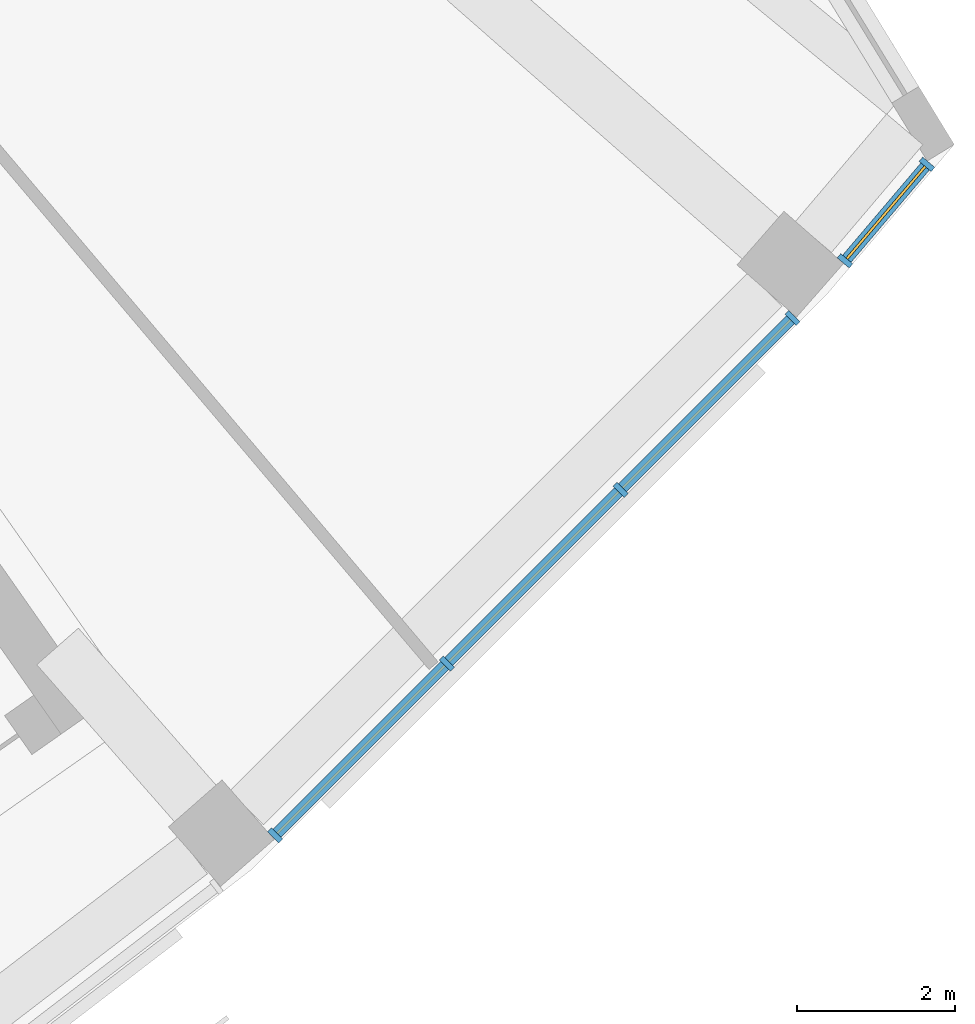
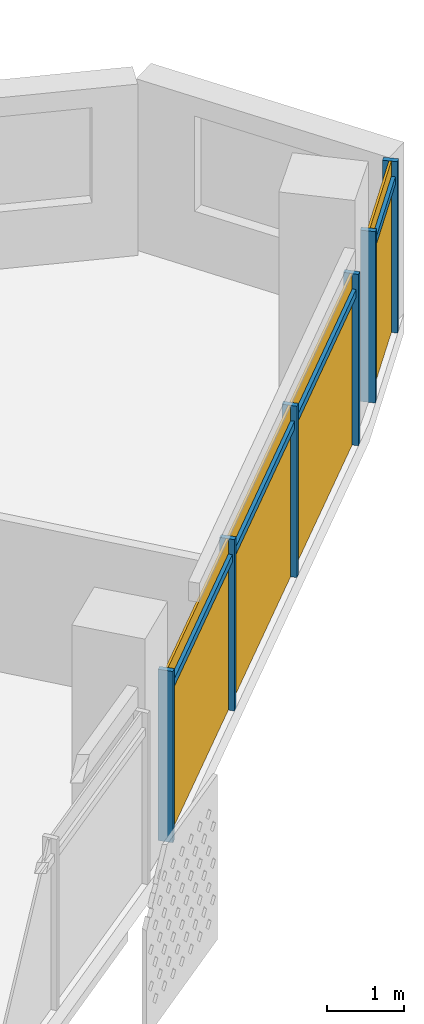
# One storey, part 22 of 28: 10 members, 2 curtain walls.
"""IFC4 building model written with IfcOpenShell, lengths in metres."""

from ifc_helpers import new_model, si_unit, direction, frame, origin, origin_2d, place, context, subcontext, project, spatial, rectangle, extrude, material, material_profile, profile_set, type_object, element, aggregate, save


model = new_model("IFC4")

# Units and contexts
model_context = context("Model", 3, precision=1e-05, world=origin(), true_north=direction((0.0, 1.0)))
body_context = subcontext(model_context, "Body", "Model", "MODEL_VIEW")
ifc_project = project(units=[si_unit("LENGTHUNIT", "METRE"), si_unit("AREAUNIT", "SQUARE_METRE"), si_unit("VOLUMEUNIT", "CUBIC_METRE"), si_unit("PLANEANGLEUNIT", "RADIAN"), si_unit("MASSUNIT", "GRAM", prefix="KILO")], contexts=[model_context])

# Member
ifc_material = material(Name="Aluminium 6063-T6 anodised", Category="aluminium")
ifc_material_profile_1 = material_profile(ifc_material, rectangle(XDim=0.199951171875, YDim=0.070068359375, at=origin_2d()))
ifc_profile_set_1 = profile_set([ifc_material_profile_1], Name="Aluminium 6063-T6 anodised")
member_type_1 = type_object("IfcMemberType", Name="Mullion 70 x 200 aluminium", PredefinedType="MULLION", material=ifc_profile_set_1)
site_placement = place(None, origin())
building_placement = place(site_placement, origin())
storey_placement = place(building_placement, frame((0.0, 0.0, 277.10009765625)))
member_1_placement = place(storey_placement, frame((51.942626953125, -58.482421875, 0.0), z_axis=(0.0, 0.0, 1.0), x_axis=(-0.707106781187, 0.707106781187, 0.0)))
member_1 = element("IfcMember", 1, at=member_1_placement, type_object=member_type_1, Name="e-cw1-L67-out13/M00", PredefinedType="MULLION", context=body_context, shape_type="SweptSolid", body=[
    extrude(rectangle(XDim=0.199951171875, YDim=0.070068359375, at=origin_2d()), origin(), (0.0, 0.0, 1.0), 2.699951171875),
])

member_2_placement = place(storey_placement, frame((54.1142578125, -56.310791015625, 0.0), z_axis=(0.0, 0.0, 1.0), x_axis=(-0.707106781187, 0.707106781187, 0.0)))
member_2 = element("IfcMember", 2, at=member_2_placement, type_object=member_type_1, Name="e-cw1-L67-out13/M01", PredefinedType="MULLION", context=body_context, shape_type="SweptSolid", body=[
    extrude(rectangle(XDim=0.199951171875, YDim=0.070068359375, at=origin_2d()), origin(), (0.0, 0.0, 1.0), 2.699951171875),
])

member_3_placement = place(storey_placement, frame((56.310791015625, -54.1142578125, 0.0), z_axis=(0.0, 0.0, 1.0), x_axis=(-0.707106781187, 0.707106781187, 0.0)))
member_3 = element("IfcMember", 3, at=member_3_placement, type_object=member_type_1, Name="e-cw1-L67-out13/M02", PredefinedType="MULLION", context=body_context, shape_type="SweptSolid", body=[
    extrude(rectangle(XDim=0.199951171875, YDim=0.070068359375, at=origin_2d()), origin(), (0.0, 0.0, 1.0), 2.699951171875),
])

member_4_placement = place(storey_placement, frame((58.482421875, -51.942626953125, 0.0), z_axis=(0.0, 0.0, 1.0), x_axis=(-0.707106781187, 0.707106781187, 0.0)))
member_4 = element("IfcMember", 4, at=member_4_placement, type_object=member_type_1, Name="e-cw1-L67-out13/M03", PredefinedType="MULLION", context=body_context, shape_type="SweptSolid", body=[
    extrude(rectangle(XDim=0.199951171875, YDim=0.070068359375, at=origin_2d()), origin(), (0.0, 0.0, 1.0), 2.699951171875),
])

member_5_placement = place(storey_placement, frame((59.1474609375, -51.221435546875, 0.0), z_axis=(0.0, 0.0, 1.0), x_axis=(-0.762284036665, 0.647242649588, 0.0)))
member_5 = element("IfcMember", 5, at=member_5_placement, type_object=member_type_1, Name="e-cw1-L67-out14/M00", PredefinedType="MULLION", context=body_context, shape_type="SweptSolid", body=[
    extrude(rectangle(XDim=0.199951171875, YDim=0.070068359375, at=origin_2d()), origin(), (0.0, 0.0, 1.0), 2.699951171875),
])

member_6_placement = place(storey_placement, frame((60.18310546875, -50.001953125, 0.0), z_axis=(0.0, 0.0, 1.0), x_axis=(-0.762284036665, 0.647242649588, 0.0)))
member_6 = element("IfcMember", 6, at=member_6_placement, type_object=member_type_1, Name="e-cw1-L67-out14/M01", PredefinedType="MULLION", context=body_context, shape_type="SweptSolid", body=[
    extrude(rectangle(XDim=0.199951171875, YDim=0.070068359375, at=origin_2d()), origin(), (0.0, 0.0, 1.0), 2.699951171875),
])

ifc_material_profile_2 = material_profile(ifc_material, rectangle(XDim=0.139892578125, YDim=0.1201171875, at=origin_2d()))
ifc_profile_set_2 = profile_set([ifc_material_profile_2], Name="Aluminium 6063-T6 anodised")
member_type_2 = type_object("IfcMemberType", Name="Transom 120 x 140 aluminium", PredefinedType="USERDEFINED", material=ifc_profile_set_2)
member_7_placement = place(storey_placement, frame((51.96728515625, -58.45751953125, 2.39990234375), z_axis=(0.707147453401, 0.707066106633, 0.0), x_axis=(-0.707066106633, 0.707147453401, 0.0)))
member_7 = element("IfcMember", 7, at=member_7_placement, type_object=member_type_2, Name="e-cw1-L67-out13/T00", ObjectType="TRANSOM", PredefinedType="USERDEFINED", context=body_context, shape_type="SweptSolid", body=[
    extrude(rectangle(XDim=0.139892578125, YDim=0.1201171875, at=origin_2d()), origin(), (0.0, 0.0, 1.0), 3.001220703125),
])

member_8_placement = place(storey_placement, frame((54.138916015625, -56.285888671875, 2.39990234375), z_axis=(0.707106781187, 0.707106781187, 0.0), x_axis=(-0.707106781187, 0.707106781187, 0.0)))
member_8 = element("IfcMember", 8, at=member_8_placement, type_object=member_type_2, Name="e-cw1-L67-out13/T01", ObjectType="TRANSOM", PredefinedType="USERDEFINED", context=body_context, shape_type="SweptSolid", body=[
    extrude(rectangle(XDim=0.139892578125, YDim=0.1201171875, at=origin_2d()), origin(), (0.0, 0.0, 1.0), 3.036376953125),
])

member_9_placement = place(storey_placement, frame((56.33544921875, -54.089599609375, 2.39990234375), z_axis=(0.707066106633, 0.707147453401, 0.0), x_axis=(-0.707147453401, 0.707066106633, 0.0)))
member_9 = element("IfcMember", 9, at=member_9_placement, type_object=member_type_2, Name="e-cw1-L67-out13/T02", ObjectType="TRANSOM", PredefinedType="USERDEFINED", context=body_context, shape_type="SweptSolid", body=[
    extrude(rectangle(XDim=0.139892578125, YDim=0.1201171875, at=origin_2d()), origin(), (0.0, 0.0, 1.0), 3.001220703125),
])

member_10_placement = place(storey_placement, frame((59.170166015625, -51.19482421875, 2.39990234375), z_axis=(0.647236070663, 0.762289622672, 0.0), x_axis=(-0.762289622672, 0.647236070663, 0.0)))
member_10 = element("IfcMember", 10, at=member_10_placement, type_object=member_type_2, Name="e-cw1-L67-out14/T00", ObjectType="TRANSOM", PredefinedType="USERDEFINED", context=body_context, shape_type="SweptSolid", body=[
    extrude(rectangle(XDim=0.139892578125, YDim=0.1201171875, at=origin_2d()), origin(), (0.0, 0.0, 1.0), 1.530029296875),
])

# Site, building, storey
site = spatial("IfcSite", under=ifc_project, at=site_placement, CompositionType="ELEMENT")
building = spatial("IfcBuilding", under=site, at=building_placement, Name="Qamariyya Broadcast Tower", CompositionType="ELEMENT")
storey = spatial("IfcBuildingStorey", under=building, at=storey_placement, Name="L67", CompositionType="ELEMENT", Elevation=277.10009765625)

# Curtain wall
curtain_wall_type = type_object("IfcCurtainWallType", Name="Unitised curtain wall, anodised aluminium", PredefinedType="NOTDEFINED", material=ifc_material)
curtain_wall_1_placement = place(storey_placement, origin())
curtain_wall_1 = element("IfcCurtainWall", 11, at=curtain_wall_1_placement, inside=storey, type_object=curtain_wall_type, Name="e-cw1-L67-out13", PredefinedType="NOTDEFINED", context=body_context, shape_type="SweptSolid", body=[
    extrude(rectangle(XDim=3.001220703125, YDim=0.031982421875, at=origin_2d()), frame((53.0283203125, -57.396484375, 0.0), x_axis=(0.707106781187, 0.707106781187, 0.0)), (0.0, 0.0, 1.0), 2.340087890625),
    extrude(rectangle(XDim=3.001220703125, YDim=0.031982421875, at=origin_2d()), frame((53.0283203125, -57.396484375, 2.4599609375), x_axis=(0.707106781187, 0.707106781187, 0.0)), (0.0, 0.0, 1.0), 0.239990234375),
    extrude(rectangle(XDim=3.0361328125, YDim=0.031982421875, at=origin_2d()), frame((55.21240234375, -55.21240234375, 0.0), x_axis=(0.707106781187, 0.707106781187, 0.0)), (0.0, 0.0, 1.0), 2.340087890625),
    extrude(rectangle(XDim=3.0361328125, YDim=0.031982421875, at=origin_2d()), frame((55.21240234375, -55.21240234375, 2.4599609375), x_axis=(0.707106781187, 0.707106781187, 0.0)), (0.0, 0.0, 1.0), 0.239990234375),
    extrude(rectangle(XDim=3.001220703125, YDim=0.031982421875, at=origin_2d()), frame((57.396484375, -53.0283203125, 0.0), x_axis=(0.707106781187, 0.707106781187, 0.0)), (0.0, 0.0, 1.0), 2.340087890625),
    extrude(rectangle(XDim=3.001220703125, YDim=0.031982421875, at=origin_2d()), frame((57.396484375, -53.0283203125, 2.4599609375), x_axis=(0.707106781187, 0.707106781187, 0.0)), (0.0, 0.0, 1.0), 0.239990234375),
])

aggregate(curtain_wall_1, [member_1, member_2, member_3, member_4, member_7, member_8, member_9])

curtain_wall_2_placement = place(storey_placement, origin())
curtain_wall_2 = element("IfcCurtainWall", 12, at=curtain_wall_2_placement, inside=storey, type_object=curtain_wall_type, Name="e-cw1-L67-out14", PredefinedType="NOTDEFINED", context=body_context, shape_type="SweptSolid", body=[
    extrude(rectangle(XDim=1.530029296875, YDim=0.031982421875, at=origin_2d()), frame((59.66552734375, -50.61181640625, 0.0), x_axis=(0.647160297227, 0.762353953025, 0.0)), (0.0, 0.0, 1.0), 2.340087890625),
    extrude(rectangle(XDim=1.530029296875, YDim=0.031982421875, at=origin_2d()), frame((59.66552734375, -50.61181640625, 2.4599609375), x_axis=(0.647160297227, 0.762353953025, 0.0)), (0.0, 0.0, 1.0), 0.239990234375),
])

aggregate(curtain_wall_2, [member_5, member_6, member_10])

save(model, "model.ifc")
